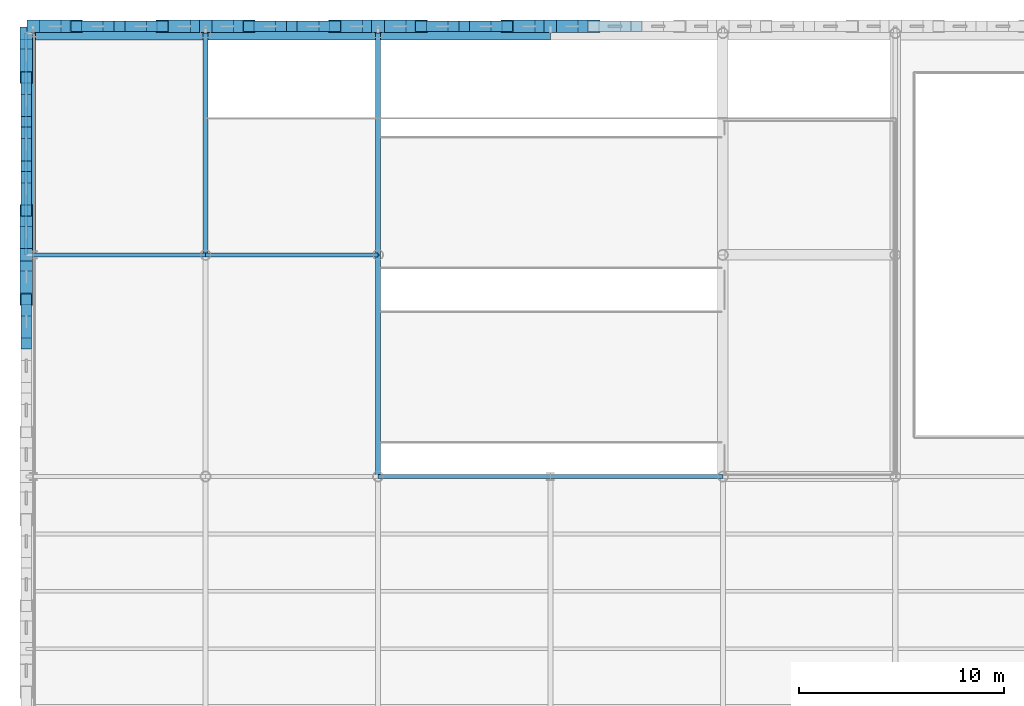
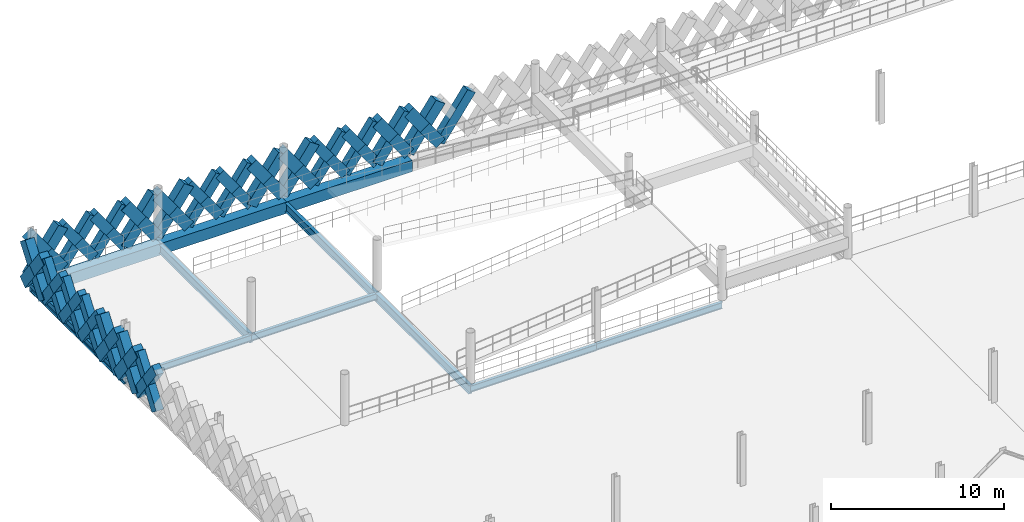
# One storey, part 37 of 101: 62 members, 11 beams.
"""IFC4 building model written with IfcOpenShell, lengths in metres."""

from ifc_helpers import new_model, si_unit, direction, frame, origin, origin_2d, place, context, subcontext, project, spatial, rectangle, hollow_rectangle, i_section, extrude, material, material_profile, profile_set, type_object, element, save


model = new_model("IFC4")

# Units and contexts
model_context = context("Model", 3, precision=1e-05, world=origin(), true_north=direction((0.0, 1.0)))
body_context = subcontext(model_context, "Body", "Model", "MODEL_VIEW")
ifc_project = project(units=[si_unit("LENGTHUNIT", "METRE"), si_unit("AREAUNIT", "SQUARE_METRE"), si_unit("VOLUMEUNIT", "CUBIC_METRE"), si_unit("PLANEANGLEUNIT", "RADIAN"), si_unit("MASSUNIT", "GRAM", prefix="KILO"), si_unit("THERMODYNAMICTEMPERATUREUNIT", "KELVIN"), si_unit("POWERUNIT", "WATT")], contexts=[model_context])

# Site, building, storey
site_placement = place(None, origin())
site = spatial("IfcSite", under=ifc_project, at=site_placement, CompositionType="ELEMENT")
building_placement = place(site_placement, origin())
building = spatial("IfcBuilding", under=site, at=building_placement, Name="Tembeka Court Mobility Hub", CompositionType="ELEMENT")
storey_placement = place(building_placement, frame((0.0, 0.0, 5.39990234375)))
storey = spatial("IfcBuildingStorey", under=building, at=storey_placement, Name="L01", CompositionType="ELEMENT", Elevation=5.39990234375)

# Beams
ifc_material_1 = material(Name="Steel S355", Category="steel")
ifc_material_profile_1 = material_profile(ifc_material_1, i_section(OverallWidth=0.18994140625, OverallDepth=0.45703125, WebThickness=0.009033203125, FlangeThickness=0.014404296875, FilletRadius=0.01025390625, at=origin_2d()), Name="UKB 457x191x74")
ifc_profile_set_1 = profile_set([ifc_material_profile_1], Name="Steel S355")
beam_type_1 = type_object("IfcBeamType", Name="BM-B01", PredefinedType="BEAM", material=ifc_profile_set_1)
beam_1_placement = place(storey_placement, frame((16.800048828125, 97.199951171875, -0.478515625), z_axis=(1.0, 0.0, 0.0), x_axis=(0.0, 1.0, 0.0)))
element("IfcBeam", 1, at=beam_1_placement, inside=storey, type_object=beam_type_1, Name="Beam B01 (BM-L01-X0737)", PredefinedType="BEAM", context=body_context, shape_type="SweptSolid", body=[
    extrude(i_section(OverallWidth=0.18994140625, OverallDepth=0.45703125, WebThickness=0.009033203125, FlangeThickness=0.014404296875, FilletRadius=0.01025390625, at=origin_2d()), origin(), (0.0, 0.0, 1.0), 8.39990234375),
])
beam_2_placement = place(storey_placement, frame((25.199951171875, 97.199951171875, -0.448486328125), z_axis=(1.0, 0.0, 0.0), x_axis=(0.0, 1.0, 0.0)))
element("IfcBeam", 2, at=beam_2_placement, inside=storey, type_object=beam_type_1, Name="Beam B01 (BM-L01-X0738)", PredefinedType="BEAM", context=body_context, shape_type="SweptSolid", body=[
    extrude(i_section(OverallWidth=0.18994140625, OverallDepth=0.45703125, WebThickness=0.009033203125, FlangeThickness=0.014404296875, FilletRadius=0.01025390625, at=origin_2d()), origin(), (0.0, 0.0, 1.0), 8.400146484375),
])
beam_3_placement = place(storey_placement, frame((0.0, 108.0, -0.478515625), z_axis=(1.0, 0.0, 0.0), x_axis=(0.0, 1.0, 0.0)))
element("IfcBeam", 3, at=beam_3_placement, inside=storey, type_object=beam_type_1, Name="Beam B01 (BM-L01-X0747)", PredefinedType="BEAM", context=body_context, shape_type="SweptSolid", body=[
    extrude(i_section(OverallWidth=0.18994140625, OverallDepth=0.45703125, WebThickness=0.009033203125, FlangeThickness=0.014404296875, FilletRadius=0.01025390625, at=origin_2d()), origin(), (0.0, 0.0, 1.0), 8.39990234375),
])
beam_4_placement = place(storey_placement, frame((8.39990234375, 108.0, -0.478515625), z_axis=(1.0, 0.0, 0.0), x_axis=(0.0, 1.0, 0.0)))
element("IfcBeam", 4, at=beam_4_placement, inside=storey, type_object=beam_type_1, Name="Beam B01 (BM-L01-X0748)", PredefinedType="BEAM", context=body_context, shape_type="SweptSolid", body=[
    extrude(i_section(OverallWidth=0.18994140625, OverallDepth=0.45703125, WebThickness=0.009033203125, FlangeThickness=0.014404296875, FilletRadius=0.01025390625, at=origin_2d()), origin(), (0.0, 0.0, 1.0), 8.400146484375),
])
ifc_material_profile_2 = material_profile(ifc_material_1, i_section(OverallWidth=0.22900390625, OverallDepth=0.612060546875, WebThickness=0.011962890625, FlangeThickness=0.01953125, FilletRadius=0.0126953125, at=origin_2d()), Name="UKB 610x229x125")
ifc_profile_set_2 = profile_set([ifc_material_profile_2], Name="Steel S355")
beam_type_2 = type_object("IfcBeamType", Name="BM-G02", PredefinedType="USERDEFINED", material=ifc_profile_set_2)
for number, where, z_axis, x_axis, name in (
    (5, (0.0, 108.0, -0.52587890625), (0.0, 1.0, 0.0), (-1.0, 0.0, 0.0), "Beam G02 (BM-L01-Y0771)"),
    (6, (8.39990234375, 108.0, -0.555908203125), (0.0, 1.0, 0.0), (-1.0, 0.0, 0.0), "Beam G02 (BM-L01-Y0782)"),
    (7, (16.800048828125, 97.199951171875, -0.555908203125), (0.0, 1.0, 0.0), (-1.0, 0.0, 0.0), "Beam G02 (BM-L01-Y0792)"),
    (8, (16.800048828125, 108.0, -0.555908203125), (0.0, 1.0, 0.0), (-1.0, 0.0, 0.0), "Beam G02 (BM-L01-Y0793)"),
):
    element("IfcBeam", number, at=place(storey_placement, frame(where, z_axis=z_axis, x_axis=x_axis)), inside=storey, type_object=beam_type_2, Name=name, ObjectType="GIRDER", PredefinedType="USERDEFINED", context=body_context, shape_type="SweptSolid", body=[
        extrude(i_section(OverallWidth=0.22900390625, OverallDepth=0.612060546875, WebThickness=0.011962890625, FlangeThickness=0.01953125, FilletRadius=0.0126953125, at=origin_2d()), origin(), (0.0, 0.0, 1.0), 10.800048828125),
    ])
ifc_material_2 = material(Name="Precast concrete C45/55", Category="concrete")
ifc_material_profile_3 = material_profile(ifc_material_2, rectangle(XDim=0.64990234375, YDim=0.800048828125, at=origin_2d()), Name="PC-SP 650x800")
ifc_profile_set_3 = profile_set([ifc_material_profile_3], Name="Precast concrete C45/55")
beam_type_3 = type_object("IfcBeamType", Name="BM-SP01", PredefinedType="SPANDREL", material=ifc_profile_set_3)
beam_5_placement = place(storey_placement, frame((0.0, 118.800048828125, -0.619873046875), z_axis=(1.0, 0.0, 0.0), x_axis=(0.0, 1.0, 0.0)))
element("IfcBeam", 9, at=beam_5_placement, inside=storey, type_object=beam_type_3, Name="Beam SP01 (BM-L01-X0750)", PredefinedType="SPANDREL", context=body_context, shape_type="SweptSolid", body=[
    extrude(rectangle(XDim=0.64990234375, YDim=0.800048828125, at=origin_2d()), origin(), (0.0, 0.0, 1.0), 8.39990234375),
])
beam_6_placement = place(storey_placement, frame((8.39990234375, 118.800048828125, -0.619873046875), z_axis=(1.0, 0.0, 0.0), x_axis=(0.0, 1.0, 0.0)))
element("IfcBeam", 10, at=beam_6_placement, inside=storey, type_object=beam_type_3, Name="Beam SP01 (BM-L01-X0751)", PredefinedType="SPANDREL", context=body_context, shape_type="SweptSolid", body=[
    extrude(rectangle(XDim=0.64990234375, YDim=0.800048828125, at=origin_2d()), origin(), (0.0, 0.0, 1.0), 8.400146484375),
])
beam_7_placement = place(storey_placement, frame((16.800048828125, 118.800048828125, -0.619873046875), z_axis=(1.0, 0.0, 0.0), x_axis=(0.0, 1.0, 0.0)))
element("IfcBeam", 11, at=beam_7_placement, inside=storey, type_object=beam_type_3, Name="Beam SP01 (BM-L01-X0752)", PredefinedType="SPANDREL", context=body_context, shape_type="SweptSolid", body=[
    extrude(rectangle(XDim=0.64990234375, YDim=0.800048828125, at=origin_2d()), origin(), (0.0, 0.0, 1.0), 8.39990234375),
])

# Members
ifc_material_profile_4 = material_profile(ifc_material_2, rectangle(XDim=0.5, YDim=0.64990234375, at=origin_2d()), Name="PC-DIAG 500x650")
ifc_profile_set_4 = profile_set([ifc_material_profile_4], Name="Precast concrete C45/55")
member_type_1 = type_object("IfcMemberType", Name="MEM-DL01", PredefinedType="BRACE", material=ifc_profile_set_4)
member_1_placement = place(storey_placement, frame((2.10009765625, 119.139892578125, 0.02001953125), z_axis=(0.582499552306, 0.0, 0.812831022762), x_axis=(0.0, 1.0, 0.0)))
element("IfcMember", 12, at=member_1_placement, inside=storey, type_object=member_type_1, Name="Precast diamond lattice continuous strand DL01 (L01-46A)", PredefinedType="BRACE", context=body_context, shape_type="SweptSolid", body=[
    extrude(rectangle(XDim=0.5, YDim=0.64990234375, at=origin_2d()), origin(), (0.0, 0.0, 1.0), 3.60498046875),
])
for number, where, z_axis, x_axis, name in (
    (13, (4.199951171875, 119.139892578125, 0.02001953125), (-0.582544294934, 0.0, 0.812798956963), (0.0, -1.0, 0.0), "Precast diamond lattice split lower strand DL01 (L01-46B1)"),
    (14, (3.14990234375, 119.139892578125, 1.485107421875), (-0.582454804382, 0.0, 0.812863088627), (0.0, -1.0, 0.0), "Precast diamond lattice split upper strand DL01 (L01-46B2)"),
):
    element("IfcMember", number, at=place(storey_placement, frame(where, z_axis=z_axis, x_axis=x_axis)), inside=storey, type_object=member_type_1, Name=name, PredefinedType="BRACE", context=body_context, shape_type="SweptSolid", body=[
        extrude(rectangle(XDim=0.5, YDim=0.64990234375, at=origin_2d()), origin(), (0.0, 0.0, 1.0), 1.802490234375),
    ])
member_2_placement = place(storey_placement, frame((4.199951171875, 119.139892578125, 0.02001953125), z_axis=(0.582544294934, 0.0, 0.812798956963), x_axis=(0.0, 1.0, 0.0)))
element("IfcMember", 15, at=member_2_placement, inside=storey, type_object=member_type_1, Name="Precast diamond lattice continuous strand DL01 (L01-47A)", PredefinedType="BRACE", context=body_context, shape_type="SweptSolid", body=[
    extrude(rectangle(XDim=0.5, YDim=0.64990234375, at=origin_2d()), origin(), (0.0, 0.0, 1.0), 3.60498046875),
])
for number, where, z_axis, x_axis, name in (
    (16, (6.300048828125, 119.139892578125, 0.02001953125), (-0.582544294934, 0.0, 0.812798956963), (0.0, -1.0, 0.0), "Precast diamond lattice split lower strand DL01 (L01-47B1)"),
    (17, (5.25, 119.139892578125, 1.485107421875), (-0.582544294934, 0.0, 0.812798956963), (0.0, -1.0, 0.0), "Precast diamond lattice split upper strand DL01 (L01-47B2)"),
):
    element("IfcMember", number, at=place(storey_placement, frame(where, z_axis=z_axis, x_axis=x_axis)), inside=storey, type_object=member_type_1, Name=name, PredefinedType="BRACE", context=body_context, shape_type="SweptSolid", body=[
        extrude(rectangle(XDim=0.5, YDim=0.64990234375, at=origin_2d()), origin(), (0.0, 0.0, 1.0), 1.802490234375),
    ])
member_3_placement = place(storey_placement, frame((10.5, 119.139892578125, 0.02001953125), z_axis=(0.582544294934, 0.0, 0.812798956963), x_axis=(0.0, 1.0, 0.0)))
element("IfcMember", 18, at=member_3_placement, inside=storey, type_object=member_type_1, Name="Precast diamond lattice continuous strand DL01 (L01-50A)", PredefinedType="BRACE", context=body_context, shape_type="SweptSolid", body=[
    extrude(rectangle(XDim=0.5, YDim=0.64990234375, at=origin_2d()), origin(), (0.0, 0.0, 1.0), 3.60498046875),
])
for number, where, z_axis, x_axis, name in (
    (19, (12.60009765625, 119.139892578125, 0.02001953125), (-0.582544294934, 0.0, 0.812798956963), (0.0, -1.0, 0.0), "Precast diamond lattice split lower strand DL01 (L01-50B1)"),
    (20, (11.550048828125, 119.139892578125, 1.485107421875), (-0.582544294934, 0.0, 0.812798956963), (0.0, -1.0, 0.0), "Precast diamond lattice split upper strand DL01 (L01-50B2)"),
):
    element("IfcMember", number, at=place(storey_placement, frame(where, z_axis=z_axis, x_axis=x_axis)), inside=storey, type_object=member_type_1, Name=name, PredefinedType="BRACE", context=body_context, shape_type="SweptSolid", body=[
        extrude(rectangle(XDim=0.5, YDim=0.64990234375, at=origin_2d()), origin(), (0.0, 0.0, 1.0), 1.802490234375),
    ])
member_4_placement = place(storey_placement, frame((12.60009765625, 119.139892578125, 0.02001953125), z_axis=(0.582499552306, 0.0, 0.812831022762), x_axis=(0.0, 1.0, 0.0)))
element("IfcMember", 21, at=member_4_placement, inside=storey, type_object=member_type_1, Name="Precast diamond lattice continuous strand DL01 (L01-51A)", PredefinedType="BRACE", context=body_context, shape_type="SweptSolid", body=[
    extrude(rectangle(XDim=0.5, YDim=0.64990234375, at=origin_2d()), origin(), (0.0, 0.0, 1.0), 3.60498046875),
])
for number, where, z_axis, x_axis, name in (
    (22, (14.699951171875, 119.139892578125, 0.02001953125), (-0.582544294934, 0.0, 0.812798956963), (0.0, -1.0, 0.0), "Precast diamond lattice split lower strand DL01 (L01-51B1)"),
    (23, (13.64990234375, 119.139892578125, 1.485107421875), (-0.582454804382, 0.0, 0.812863088627), (0.0, -1.0, 0.0), "Precast diamond lattice split upper strand DL01 (L01-51B2)"),
):
    element("IfcMember", number, at=place(storey_placement, frame(where, z_axis=z_axis, x_axis=x_axis)), inside=storey, type_object=member_type_1, Name=name, PredefinedType="BRACE", context=body_context, shape_type="SweptSolid", body=[
        extrude(rectangle(XDim=0.5, YDim=0.64990234375, at=origin_2d()), origin(), (0.0, 0.0, 1.0), 1.802490234375),
    ])
member_5_placement = place(storey_placement, frame((18.89990234375, 119.139892578125, 0.02001953125), z_axis=(0.582544294934, 0.0, 0.812798956963), x_axis=(0.0, 1.0, 0.0)))
element("IfcMember", 24, at=member_5_placement, inside=storey, type_object=member_type_1, Name="Precast diamond lattice continuous strand DL01 (L01-54A)", PredefinedType="BRACE", context=body_context, shape_type="SweptSolid", body=[
    extrude(rectangle(XDim=0.5, YDim=0.64990234375, at=origin_2d()), origin(), (0.0, 0.0, 1.0), 3.60498046875),
])
for number, where, z_axis, x_axis, name in (
    (25, (21.0, 119.139892578125, 0.02001953125), (-0.582544294934, 0.0, 0.812798956963), (0.0, -1.0, 0.0), "Precast diamond lattice split lower strand DL01 (L01-54B1)"),
    (26, (19.949951171875, 119.139892578125, 1.485107421875), (-0.582544294934, 0.0, 0.812798956963), (0.0, -1.0, 0.0), "Precast diamond lattice split upper strand DL01 (L01-54B2)"),
):
    element("IfcMember", number, at=place(storey_placement, frame(where, z_axis=z_axis, x_axis=x_axis)), inside=storey, type_object=member_type_1, Name=name, PredefinedType="BRACE", context=body_context, shape_type="SweptSolid", body=[
        extrude(rectangle(XDim=0.5, YDim=0.64990234375, at=origin_2d()), origin(), (0.0, 0.0, 1.0), 1.802490234375),
    ])
member_6_placement = place(storey_placement, frame((21.0, 119.139892578125, 0.02001953125), z_axis=(0.582544294934, 0.0, 0.812798956963), x_axis=(0.0, 1.0, 0.0)))
element("IfcMember", 27, at=member_6_placement, inside=storey, type_object=member_type_1, Name="Precast diamond lattice continuous strand DL01 (L01-55A)", PredefinedType="BRACE", context=body_context, shape_type="SweptSolid", body=[
    extrude(rectangle(XDim=0.5, YDim=0.64990234375, at=origin_2d()), origin(), (0.0, 0.0, 1.0), 3.60498046875),
])
for number, where, z_axis, x_axis, name in (
    (28, (23.10009765625, 119.139892578125, 0.02001953125), (-0.582544294934, 0.0, 0.812798956963), (0.0, -1.0, 0.0), "Precast diamond lattice split lower strand DL01 (L01-55B1)"),
    (29, (22.050048828125, 119.139892578125, 1.485107421875), (-0.582544294934, 0.0, 0.812798956963), (0.0, -1.0, 0.0), "Precast diamond lattice split upper strand DL01 (L01-55B2)"),
):
    element("IfcMember", number, at=place(storey_placement, frame(where, z_axis=z_axis, x_axis=x_axis)), inside=storey, type_object=member_type_1, Name=name, PredefinedType="BRACE", context=body_context, shape_type="SweptSolid", body=[
        extrude(rectangle(XDim=0.5, YDim=0.64990234375, at=origin_2d()), origin(), (0.0, 0.0, 1.0), 1.802490234375),
    ])
member_7_placement = place(storey_placement, frame((27.300048828125, 119.139892578125, 0.02001953125), z_axis=(0.582499552306, 0.0, 0.812831022762), x_axis=(0.0, 1.0, 0.0)))
element("IfcMember", 30, at=member_7_placement, inside=storey, type_object=member_type_1, Name="Precast diamond lattice continuous strand DL01 (L01-58A)", PredefinedType="BRACE", context=body_context, shape_type="SweptSolid", body=[
    extrude(rectangle(XDim=0.5, YDim=0.64990234375, at=origin_2d()), origin(), (0.0, 0.0, 1.0), 3.60498046875),
])
member_8_placement = place(storey_placement, frame((-0.340087890625, 103.679931640625, 0.02001953125), z_axis=(0.0, 0.593391185876, 0.804914219358), x_axis=(-1.0, 0.0, 0.0)))
element("IfcMember", 31, at=member_8_placement, inside=storey, type_object=member_type_1, Name="Precast diamond lattice continuous strand DL01 (L01-138C)", PredefinedType="BRACE", context=body_context, shape_type="SweptSolid", body=[
    extrude(rectangle(XDim=0.5, YDim=0.64990234375, at=origin_2d()), origin(), (0.0, 0.0, 1.0), 3.640380859375),
])
for number, where, z_axis, x_axis, name in (
    (32, (-0.340087890625, 105.840087890625, 0.02001953125), (0.0, -0.593391185876, 0.804914219358), (1.0, 0.0, 0.0), "Precast diamond lattice split lower strand DL01 (L01-138D1)"),
    (33, (-0.340087890625, 104.760009765625, 1.485107421875), (0.0, -0.593391185876, 0.804914219358), (1.0, 0.0, 0.0), "Precast diamond lattice split upper strand DL01 (L01-138D2)"),
):
    element("IfcMember", number, at=place(storey_placement, frame(where, z_axis=z_axis, x_axis=x_axis)), inside=storey, type_object=member_type_1, Name=name, PredefinedType="BRACE", context=body_context, shape_type="SweptSolid", body=[
        extrude(rectangle(XDim=0.5, YDim=0.64990234375, at=origin_2d()), origin(), (0.0, 0.0, 1.0), 1.820068359375),
    ])
member_9_placement = place(storey_placement, frame((-0.340087890625, 110.159912109375, 0.02001953125), z_axis=(0.0, 0.593391185876, 0.804914219358), x_axis=(-1.0, 0.0, 0.0)))
element("IfcMember", 34, at=member_9_placement, inside=storey, type_object=member_type_1, Name="Precast diamond lattice continuous strand DL01 (L01-141C)", PredefinedType="BRACE", context=body_context, shape_type="SweptSolid", body=[
    extrude(rectangle(XDim=0.5, YDim=0.64990234375, at=origin_2d()), origin(), (0.0, 0.0, 1.0), 3.640380859375),
])
for number, where, z_axis, x_axis, name in (
    (35, (-0.340087890625, 112.320068359375, 0.02001953125), (0.0, -0.593391185876, 0.804914219358), (1.0, 0.0, 0.0), "Precast diamond lattice split lower strand DL01 (L01-141D1)"),
    (36, (-0.340087890625, 111.239990234375, 1.485107421875), (0.0, -0.593391185876, 0.804914219358), (1.0, 0.0, 0.0), "Precast diamond lattice split upper strand DL01 (L01-141D2)"),
):
    element("IfcMember", number, at=place(storey_placement, frame(where, z_axis=z_axis, x_axis=x_axis)), inside=storey, type_object=member_type_1, Name=name, PredefinedType="BRACE", context=body_context, shape_type="SweptSolid", body=[
        extrude(rectangle(XDim=0.5, YDim=0.64990234375, at=origin_2d()), origin(), (0.0, 0.0, 1.0), 1.820068359375),
    ])
member_10_placement = place(storey_placement, frame((-0.340087890625, 112.320068359375, 0.02001953125), z_axis=(0.0, 0.593347732742, 0.804946251653), x_axis=(-1.0, 0.0, 0.0)))
element("IfcMember", 37, at=member_10_placement, inside=storey, type_object=member_type_1, Name="Precast diamond lattice continuous strand DL01 (L01-142C)", PredefinedType="BRACE", context=body_context, shape_type="SweptSolid", body=[
    extrude(rectangle(XDim=0.5, YDim=0.64990234375, at=origin_2d()), origin(), (0.0, 0.0, 1.0), 3.64013671875),
])
for number, where, z_axis, x_axis, name in (
    (38, (-0.340087890625, 114.47998046875, 0.02001953125), (0.0, -0.593391185876, 0.804914219358), (1.0, 0.0, 0.0), "Precast diamond lattice split lower strand DL01 (L01-142D1)"),
    (39, (-0.340087890625, 113.39990234375, 1.485107421875), (0.0, -0.593304274421, 0.804978284151), (1.0, 0.0, 0.0), "Precast diamond lattice split upper strand DL01 (L01-142D2)"),
):
    element("IfcMember", number, at=place(storey_placement, frame(where, z_axis=z_axis, x_axis=x_axis)), inside=storey, type_object=member_type_1, Name=name, PredefinedType="BRACE", context=body_context, shape_type="SweptSolid", body=[
        extrude(rectangle(XDim=0.5, YDim=0.64990234375, at=origin_2d()), origin(), (0.0, 0.0, 1.0), 1.820068359375),
    ])
member_11_placement = place(storey_placement, frame((-0.340087890625, 114.47998046875, 0.02001953125), z_axis=(0.0, 0.593347732742, 0.804946251653), x_axis=(-1.0, 0.0, 0.0)))
element("IfcMember", 40, at=member_11_placement, inside=storey, type_object=member_type_1, Name="Precast diamond lattice continuous strand DL01 (L01-143C)", PredefinedType="BRACE", context=body_context, shape_type="SweptSolid", body=[
    extrude(rectangle(XDim=0.5, YDim=0.64990234375, at=origin_2d()), origin(), (0.0, 0.0, 1.0), 3.64013671875),
])
for number, where, z_axis, x_axis, name in (
    (41, (-0.340087890625, 116.639892578125, 0.02001953125), (0.0, -0.593304274421, 0.804978284151), (1.0, 0.0, 0.0), "Precast diamond lattice split lower strand DL01 (L01-143D1)"),
    (42, (-0.340087890625, 115.56005859375, 1.485107421875), (0.0, -0.593391185876, 0.804914219358), (1.0, 0.0, 0.0), "Precast diamond lattice split upper strand DL01 (L01-143D2)"),
):
    element("IfcMember", number, at=place(storey_placement, frame(where, z_axis=z_axis, x_axis=x_axis)), inside=storey, type_object=member_type_1, Name=name, PredefinedType="BRACE", context=body_context, shape_type="SweptSolid", body=[
        extrude(rectangle(XDim=0.5, YDim=0.64990234375, at=origin_2d()), origin(), (0.0, 0.0, 1.0), 1.820068359375),
    ])
ifc_material_profile_5 = material_profile(ifc_material_2, rectangle(XDim=0.60009765625, YDim=0.75, at=origin_2d()), Name="PC-DIAG 600x750")
ifc_profile_set_5 = profile_set([ifc_material_profile_5], Name="Precast concrete C45/55")
member_type_2 = type_object("IfcMemberType", Name="MEM-DL02", PredefinedType="BRACE", material=ifc_profile_set_5)
member_12_placement = place(storey_placement, frame((0.0, 119.139892578125, 0.02001953125), z_axis=(0.582544294934, 0.0, 0.812798956963), x_axis=(0.0, 1.0, 0.0)))
element("IfcMember", 43, at=member_12_placement, inside=storey, type_object=member_type_2, Name="Precast diamond lattice continuous strand DL02 (L01-45A)", PredefinedType="BRACE", context=body_context, shape_type="SweptSolid", body=[
    extrude(rectangle(XDim=0.60009765625, YDim=0.75, at=origin_2d()), origin(), (0.0, 0.0, 1.0), 3.60498046875),
])
for number, where, z_axis, x_axis, name in (
    (44, (2.10009765625, 119.139892578125, 0.02001953125), (-0.582544294934, 0.0, 0.812798956963), (0.0, -1.0, 0.0), "Precast diamond lattice split lower strand DL02 (L01-45B1)"),
    (45, (1.050048828125, 119.139892578125, 1.485107421875), (-0.582544294934, 0.0, 0.812798956963), (0.0, -1.0, 0.0), "Precast diamond lattice split upper strand DL02 (L01-45B2)"),
):
    element("IfcMember", number, at=place(storey_placement, frame(where, z_axis=z_axis, x_axis=x_axis)), inside=storey, type_object=member_type_2, Name=name, PredefinedType="BRACE", context=body_context, shape_type="SweptSolid", body=[
        extrude(rectangle(XDim=0.60009765625, YDim=0.75, at=origin_2d()), origin(), (0.0, 0.0, 1.0), 1.802490234375),
    ])
member_13_placement = place(storey_placement, frame((6.300048828125, 119.139892578125, 0.02001953125), z_axis=(0.582499552306, 0.0, 0.812831022762), x_axis=(0.0, 1.0, 0.0)))
element("IfcMember", 46, at=member_13_placement, inside=storey, type_object=member_type_2, Name="Precast diamond lattice continuous strand DL02 (L01-48A)", PredefinedType="BRACE", context=body_context, shape_type="SweptSolid", body=[
    extrude(rectangle(XDim=0.60009765625, YDim=0.75, at=origin_2d()), origin(), (0.0, 0.0, 1.0), 3.60498046875),
])
for number, where, z_axis, x_axis, name in (
    (47, (8.39990234375, 119.139892578125, 0.02001953125), (-0.582454804382, 0.0, 0.812863088627), (0.0, -1.0, 0.0), "Precast diamond lattice split lower strand DL02 (L01-48B1)"),
    (48, (7.35009765625, 119.139892578125, 1.485107421875), (-0.582544294934, 0.0, 0.812798956963), (0.0, -1.0, 0.0), "Precast diamond lattice split upper strand DL02 (L01-48B2)"),
):
    element("IfcMember", number, at=place(storey_placement, frame(where, z_axis=z_axis, x_axis=x_axis)), inside=storey, type_object=member_type_2, Name=name, PredefinedType="BRACE", context=body_context, shape_type="SweptSolid", body=[
        extrude(rectangle(XDim=0.60009765625, YDim=0.75, at=origin_2d()), origin(), (0.0, 0.0, 1.0), 1.802490234375),
    ])
member_14_placement = place(storey_placement, frame((8.39990234375, 119.139892578125, 0.02001953125), z_axis=(0.582544294934, 0.0, 0.812798956963), x_axis=(0.0, 1.0, 0.0)))
element("IfcMember", 49, at=member_14_placement, inside=storey, type_object=member_type_2, Name="Precast diamond lattice continuous strand DL02 (L01-49A)", PredefinedType="BRACE", context=body_context, shape_type="SweptSolid", body=[
    extrude(rectangle(XDim=0.60009765625, YDim=0.75, at=origin_2d()), origin(), (0.0, 0.0, 1.0), 3.60498046875),
])
for number, where, z_axis, x_axis, name in (
    (50, (10.5, 119.139892578125, 0.02001953125), (-0.582544294934, 0.0, 0.812798956963), (0.0, -1.0, 0.0), "Precast diamond lattice split lower strand DL02 (L01-49B1)"),
    (51, (9.449951171875, 119.139892578125, 1.485107421875), (-0.582544294934, 0.0, 0.812798956963), (0.0, -1.0, 0.0), "Precast diamond lattice split upper strand DL02 (L01-49B2)"),
):
    element("IfcMember", number, at=place(storey_placement, frame(where, z_axis=z_axis, x_axis=x_axis)), inside=storey, type_object=member_type_2, Name=name, PredefinedType="BRACE", context=body_context, shape_type="SweptSolid", body=[
        extrude(rectangle(XDim=0.60009765625, YDim=0.75, at=origin_2d()), origin(), (0.0, 0.0, 1.0), 1.802490234375),
    ])
member_15_placement = place(storey_placement, frame((14.699951171875, 119.139892578125, 0.02001953125), z_axis=(0.582544294934, 0.0, 0.812798956963), x_axis=(0.0, 1.0, 0.0)))
element("IfcMember", 52, at=member_15_placement, inside=storey, type_object=member_type_2, Name="Precast diamond lattice continuous strand DL02 (L01-52A)", PredefinedType="BRACE", context=body_context, shape_type="SweptSolid", body=[
    extrude(rectangle(XDim=0.60009765625, YDim=0.75, at=origin_2d()), origin(), (0.0, 0.0, 1.0), 3.60498046875),
])
for number, where, z_axis, x_axis, name in (
    (53, (16.800048828125, 119.139892578125, 0.02001953125), (-0.582544294934, 0.0, 0.812798956963), (0.0, -1.0, 0.0), "Precast diamond lattice split lower strand DL02 (L01-52B1)"),
    (54, (15.75, 119.139892578125, 1.485107421875), (-0.582544294934, 0.0, 0.812798956963), (0.0, -1.0, 0.0), "Precast diamond lattice split upper strand DL02 (L01-52B2)"),
):
    element("IfcMember", number, at=place(storey_placement, frame(where, z_axis=z_axis, x_axis=x_axis)), inside=storey, type_object=member_type_2, Name=name, PredefinedType="BRACE", context=body_context, shape_type="SweptSolid", body=[
        extrude(rectangle(XDim=0.60009765625, YDim=0.75, at=origin_2d()), origin(), (0.0, 0.0, 1.0), 1.802490234375),
    ])
member_16_placement = place(storey_placement, frame((16.800048828125, 119.139892578125, 0.02001953125), z_axis=(0.582499552306, 0.0, 0.812831022762), x_axis=(0.0, 1.0, 0.0)))
element("IfcMember", 55, at=member_16_placement, inside=storey, type_object=member_type_2, Name="Precast diamond lattice continuous strand DL02 (L01-53A)", PredefinedType="BRACE", context=body_context, shape_type="SweptSolid", body=[
    extrude(rectangle(XDim=0.60009765625, YDim=0.75, at=origin_2d()), origin(), (0.0, 0.0, 1.0), 3.60498046875),
])
for number, where, z_axis, x_axis, name in (
    (56, (18.89990234375, 119.139892578125, 0.02001953125), (-0.582454804382, 0.0, 0.812863088627), (0.0, -1.0, 0.0), "Precast diamond lattice split lower strand DL02 (L01-53B1)"),
    (57, (17.85009765625, 119.139892578125, 1.485107421875), (-0.582544294934, 0.0, 0.812798956963), (0.0, -1.0, 0.0), "Precast diamond lattice split upper strand DL02 (L01-53B2)"),
):
    element("IfcMember", number, at=place(storey_placement, frame(where, z_axis=z_axis, x_axis=x_axis)), inside=storey, type_object=member_type_2, Name=name, PredefinedType="BRACE", context=body_context, shape_type="SweptSolid", body=[
        extrude(rectangle(XDim=0.60009765625, YDim=0.75, at=origin_2d()), origin(), (0.0, 0.0, 1.0), 1.802490234375),
    ])
member_17_placement = place(storey_placement, frame((23.10009765625, 119.139892578125, 0.02001953125), z_axis=(0.582499552306, 0.0, 0.812831022762), x_axis=(0.0, 1.0, 0.0)))
element("IfcMember", 58, at=member_17_placement, inside=storey, type_object=member_type_2, Name="Precast diamond lattice continuous strand DL02 (L01-56A)", PredefinedType="BRACE", context=body_context, shape_type="SweptSolid", body=[
    extrude(rectangle(XDim=0.60009765625, YDim=0.75, at=origin_2d()), origin(), (0.0, 0.0, 1.0), 3.60498046875),
])
for number, where, z_axis, x_axis, name in (
    (59, (25.199951171875, 119.139892578125, 0.02001953125), (-0.582544294934, 0.0, 0.812798956963), (0.0, -1.0, 0.0), "Precast diamond lattice split lower strand DL02 (L01-56B1)"),
    (60, (24.14990234375, 119.139892578125, 1.485107421875), (-0.582454804382, 0.0, 0.812863088627), (0.0, -1.0, 0.0), "Precast diamond lattice split upper strand DL02 (L01-56B2)"),
):
    element("IfcMember", number, at=place(storey_placement, frame(where, z_axis=z_axis, x_axis=x_axis)), inside=storey, type_object=member_type_2, Name=name, PredefinedType="BRACE", context=body_context, shape_type="SweptSolid", body=[
        extrude(rectangle(XDim=0.60009765625, YDim=0.75, at=origin_2d()), origin(), (0.0, 0.0, 1.0), 1.802490234375),
    ])
member_18_placement = place(storey_placement, frame((25.199951171875, 119.139892578125, 0.02001953125), z_axis=(0.582544294934, 0.0, 0.812798956963), x_axis=(0.0, 1.0, 0.0)))
element("IfcMember", 61, at=member_18_placement, inside=storey, type_object=member_type_2, Name="Precast diamond lattice continuous strand DL02 (L01-57A)", PredefinedType="BRACE", context=body_context, shape_type="SweptSolid", body=[
    extrude(rectangle(XDim=0.60009765625, YDim=0.75, at=origin_2d()), origin(), (0.0, 0.0, 1.0), 3.60498046875),
])
for number, where, z_axis, x_axis, name in (
    (62, (27.300048828125, 119.139892578125, 0.02001953125), (-0.582544294934, 0.0, 0.812798956963), (0.0, -1.0, 0.0), "Precast diamond lattice split lower strand DL02 (L01-57B1)"),
    (63, (26.25, 119.139892578125, 1.485107421875), (-0.582544294934, 0.0, 0.812798956963), (0.0, -1.0, 0.0), "Precast diamond lattice split upper strand DL02 (L01-57B2)"),
):
    element("IfcMember", number, at=place(storey_placement, frame(where, z_axis=z_axis, x_axis=x_axis)), inside=storey, type_object=member_type_2, Name=name, PredefinedType="BRACE", context=body_context, shape_type="SweptSolid", body=[
        extrude(rectangle(XDim=0.60009765625, YDim=0.75, at=origin_2d()), origin(), (0.0, 0.0, 1.0), 1.802490234375),
    ])
member_19_placement = place(storey_placement, frame((-0.340087890625, 105.840087890625, 0.02001953125), z_axis=(0.0, 0.593347732742, 0.804946251653), x_axis=(-1.0, 0.0, 0.0)))
element("IfcMember", 64, at=member_19_placement, inside=storey, type_object=member_type_2, Name="Precast diamond lattice continuous strand DL02 (L01-139C)", PredefinedType="BRACE", context=body_context, shape_type="SweptSolid", body=[
    extrude(rectangle(XDim=0.60009765625, YDim=0.75, at=origin_2d()), origin(), (0.0, 0.0, 1.0), 3.64013671875),
])
for number, where, z_axis, x_axis, name in (
    (65, (-0.340087890625, 108.0, 0.02001953125), (0.0, -0.593391185876, 0.804914219358), (1.0, 0.0, 0.0), "Precast diamond lattice split lower strand DL02 (L01-139D1)"),
    (66, (-0.340087890625, 106.919921875, 1.485107421875), (0.0, -0.593304274421, 0.804978284151), (1.0, 0.0, 0.0), "Precast diamond lattice split upper strand DL02 (L01-139D2)"),
):
    element("IfcMember", number, at=place(storey_placement, frame(where, z_axis=z_axis, x_axis=x_axis)), inside=storey, type_object=member_type_2, Name=name, PredefinedType="BRACE", context=body_context, shape_type="SweptSolid", body=[
        extrude(rectangle(XDim=0.60009765625, YDim=0.75, at=origin_2d()), origin(), (0.0, 0.0, 1.0), 1.820068359375),
    ])
member_20_placement = place(storey_placement, frame((-0.340087890625, 108.0, 0.02001953125), z_axis=(0.0, 0.593347732742, 0.804946251653), x_axis=(-1.0, 0.0, 0.0)))
element("IfcMember", 67, at=member_20_placement, inside=storey, type_object=member_type_2, Name="Precast diamond lattice continuous strand DL02 (L01-140C)", PredefinedType="BRACE", context=body_context, shape_type="SweptSolid", body=[
    extrude(rectangle(XDim=0.60009765625, YDim=0.75, at=origin_2d()), origin(), (0.0, 0.0, 1.0), 3.64013671875),
])
for number, where, z_axis, x_axis, name in (
    (68, (-0.340087890625, 110.159912109375, 0.02001953125), (0.0, -0.593304274421, 0.804978284151), (1.0, 0.0, 0.0), "Precast diamond lattice split lower strand DL02 (L01-140D1)"),
    (69, (-0.340087890625, 109.080078125, 1.485107421875), (0.0, -0.593391185876, 0.804914219358), (1.0, 0.0, 0.0), "Precast diamond lattice split upper strand DL02 (L01-140D2)"),
):
    element("IfcMember", number, at=place(storey_placement, frame(where, z_axis=z_axis, x_axis=x_axis)), inside=storey, type_object=member_type_2, Name=name, PredefinedType="BRACE", context=body_context, shape_type="SweptSolid", body=[
        extrude(rectangle(XDim=0.60009765625, YDim=0.75, at=origin_2d()), origin(), (0.0, 0.0, 1.0), 1.820068359375),
    ])
member_21_placement = place(storey_placement, frame((-0.340087890625, 116.639892578125, 0.02001953125), z_axis=(0.0, 0.593391185876, 0.804914219358), x_axis=(-1.0, 0.0, 0.0)))
element("IfcMember", 70, at=member_21_placement, inside=storey, type_object=member_type_2, Name="Precast diamond lattice continuous strand DL02 (L01-144C)", PredefinedType="BRACE", context=body_context, shape_type="SweptSolid", body=[
    extrude(rectangle(XDim=0.60009765625, YDim=0.75, at=origin_2d()), origin(), (0.0, 0.0, 1.0), 3.640380859375),
])
for number, where, z_axis, x_axis, name in (
    (71, (-0.340087890625, 118.800048828125, 0.02001953125), (0.0, -0.593391185876, 0.804914219358), (1.0, 0.0, 0.0), "Precast diamond lattice split lower strand DL02 (L01-144D1)"),
    (72, (-0.340087890625, 117.719970703125, 1.485107421875), (0.0, -0.593391185876, 0.804914219358), (1.0, 0.0, 0.0), "Precast diamond lattice split upper strand DL02 (L01-144D2)"),
):
    element("IfcMember", number, at=place(storey_placement, frame(where, z_axis=z_axis, x_axis=x_axis)), inside=storey, type_object=member_type_2, Name=name, PredefinedType="BRACE", context=body_context, shape_type="SweptSolid", body=[
        extrude(rectangle(XDim=0.60009765625, YDim=0.75, at=origin_2d()), origin(), (0.0, 0.0, 1.0), 1.820068359375),
    ])
ifc_material_profile_6 = material_profile(ifc_material_1, hollow_rectangle(XDim=0.14990234375, YDim=0.300048828125, WallThickness=0.010009765625, at=origin_2d()), Name="RHS 300x150x10")
ifc_profile_set_6 = profile_set([ifc_material_profile_6], Name="Steel S355")
member_type_3 = type_object("IfcMemberType", Name="MEM-ST03", PredefinedType="STRUT", material=ifc_profile_set_6)
member_22_placement = place(storey_placement, frame((-0.340087890625, 108.0, 0.02001953125), z_axis=(0.0, 1.0, 0.0), x_axis=(-1.0, 0.0, 0.0)))
element("IfcMember", 73, at=member_22_placement, inside=storey, type_object=member_type_3, Name="Proud lattice sill tie chord SR03 (L01-W-108)", PredefinedType="STRUT", context=body_context, shape_type="SweptSolid", body=[
    extrude(hollow_rectangle(XDim=0.14990234375, YDim=0.300048828125, WallThickness=0.010009765625, at=origin_2d()), origin(), (0.0, 0.0, 1.0), 10.800048828125),
])

save(model, "model.ifc")
